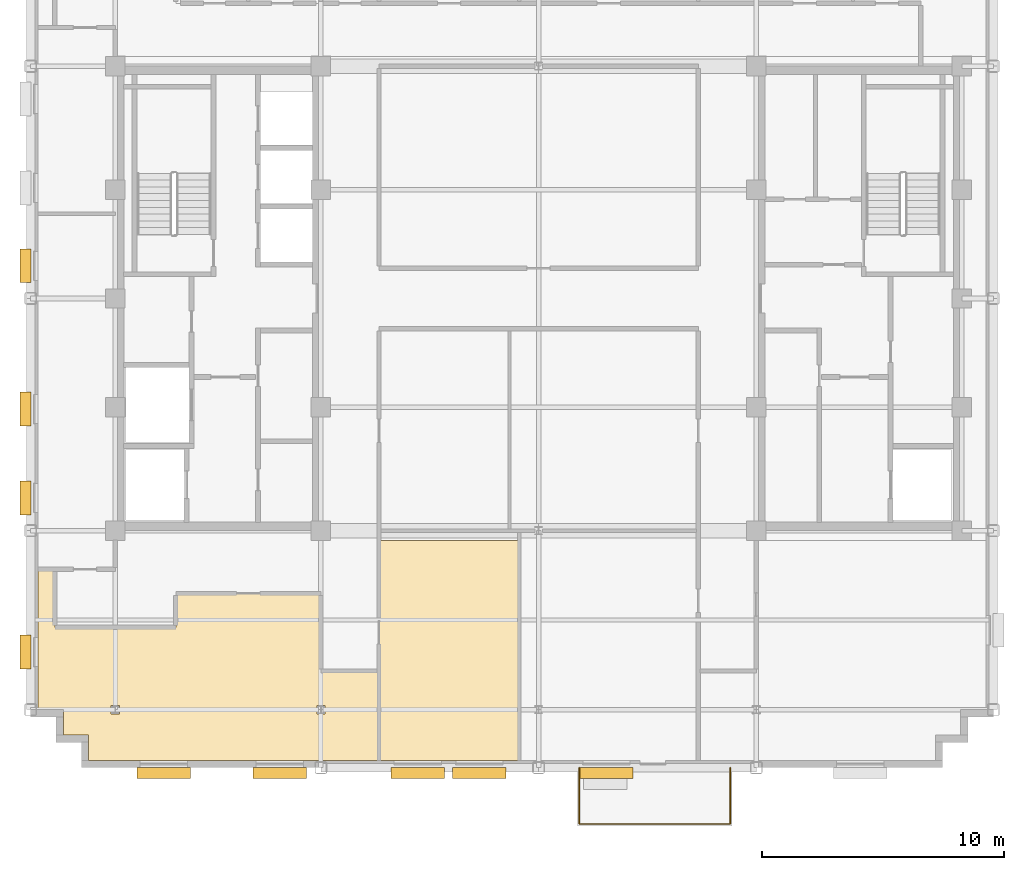
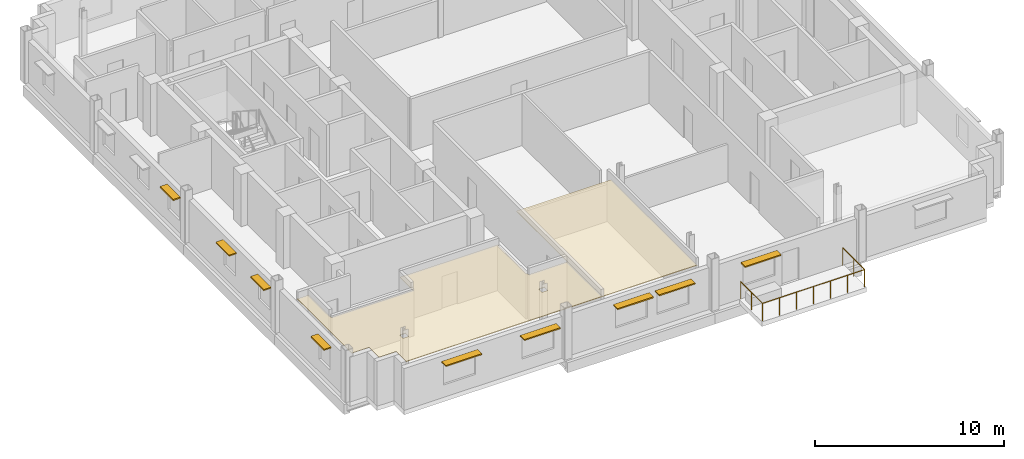
# One storey, part 10 of 13: 9 shading devices, 2 coverings, 1 railing.
"""IFC4 building model written with IfcOpenShell, lengths in metres."""

from ifc_helpers import new_model, si_unit, direction, frame, origin, origin_2d, place, context, subcontext, project, spatial, polyline, rectangle, circle, outline, extrude, source, transform, mapped, material, layer, layer_set, type_object, type_shapes, element, save


model = new_model("IFC4")

# Units and contexts
model_context = context("Model", 3, precision=1e-05, world=origin(), true_north=direction((0.0, 1.0)))
body_context = subcontext(model_context, "Body", "Model", "MODEL_VIEW")
ifc_project = project(units=[si_unit("LENGTHUNIT", "METRE"), si_unit("AREAUNIT", "SQUARE_METRE"), si_unit("VOLUMEUNIT", "CUBIC_METRE"), si_unit("PLANEANGLEUNIT", "RADIAN"), si_unit("MASSUNIT", "GRAM", prefix="KILO")], contexts=[model_context])

# Site, building, storey
site_placement = place(None, origin())
site = spatial("IfcSite", under=ifc_project, at=site_placement, CompositionType="ELEMENT")
building_placement = place(site_placement, origin())
building = spatial("IfcBuilding", under=site, at=building_placement, Name="Nuvemarco Arch Tower", CompositionType="ELEMENT")
storey_placement = place(building_placement, frame((0.0, 0.0, 261.60009765625)))
storey = spatial("IfcBuildingStorey", under=building, at=storey_placement, Name="L69", CompositionType="ELEMENT", Elevation=261.60009765625)

# Coverings
ifc_material_1 = material(Name="Mineral acoustic ceiling tile")
ifc_layer = layer(ifc_material_1, 0.0400390625, Name="COV-ACOUSTIC-CLG")
ifc_layer_set = layer_set([ifc_layer], Name="Mineral acoustic ceiling tile")
covering_type = type_object("IfcCoveringType", Name="COV-ACOUSTIC-CLG", PredefinedType="CEILING", material=ifc_layer_set)
covering_1_placement = place(storey_placement, frame((0.0, 0.0, 2.849853515625)))
element("IfcCovering", 1, at=covering_1_placement, inside=storey, type_object=covering_type, Name="L69 suspended acoustic ceiling 2", PredefinedType="CEILING", context=body_context, shape_type="SweptSolid", body=[
    extrude(outline(polyline([(-20.699951171875, -17.0), (-20.699951171875, -11.199951171875), (-20.0, -11.199951171875), (-20.0, -13.60009765625), (-15.0, -13.60009765625), (-15.0, -12.199951171875), (-9.0, -12.199951171875), (-9.0, -15.39990234375), (-6.60009765625, -15.39990234375), (-6.60009765625, -19.10009765625), (-18.60009765625, -19.10009765625), (-18.60009765625, -18.050048828125), (-19.64990234375, -18.050048828125), (-19.64990234375, -17.0), (-20.699951171875, -17.0)]), holes=[polyline([(-17.330078125, -16.830078125), (-17.669921875, -16.830078125), (-17.669921875, -17.169921875), (-17.330078125, -17.169921875), (-17.330078125, -16.830078125)]), polyline([(-8.830078125, -16.830078125), (-9.169921875, -16.830078125), (-9.169921875, -17.169921875), (-8.830078125, -17.169921875), (-8.830078125, -16.830078125)])]), origin(), (0.0, 0.0, 1.0), 0.0400390625),
])
covering_2_placement = place(storey_placement, frame((0.0, 0.0, 2.849853515625)))
element("IfcCovering", 2, at=covering_2_placement, inside=storey, type_object=covering_type, Name="L69 suspended acoustic ceiling 4", PredefinedType="CEILING", context=body_context, shape_type="SweptSolid", body=[
    extrude(outline(polyline([(-6.60009765625, -10.0), (-0.800048828125, -10.0), (-0.800048828125, -19.10009765625), (-6.60009765625, -19.10009765625), (-6.60009765625, -15.39990234375), (-6.60009765625, -12.199951171875), (-6.60009765625, -10.0)])), origin(), (0.0, 0.0, 1.0), 0.0400390625),
])

# Railing
ifc_material_2 = material(Name="Dark anodised balustrade steel S355", Category="steel")
railing_type = type_object("IfcRailingType", Name="RL-TERR-GUARD", PredefinedType="BALUSTRADE", material=ifc_material_2)
railing_placement = place(storey_placement, frame((1.679931640625, -19.39990234375, 0.0)))
element("IfcRailing", 3, at=railing_placement, inside=storey, type_object=railing_type, Name="L69 spiral terrace perimeter balustrade guard", PredefinedType="BALUSTRADE", context=body_context, shape_type="SweptSolid", body=[
    extrude(circle(Radius=0.02392578125, at=origin_2d()), frame((0.0, 0.0, 1.1259765625), z_axis=(0.0, -1.0, 0.0), x_axis=(1.0, 0.0, 0.0)), (0.0, 0.0, 1.0), 2.320068359375),
    extrude(circle(Radius=0.02392578125, at=origin_2d()), frame((0.0, -2.320068359375, 1.1259765625), z_axis=(1.0, 0.0, 0.0), x_axis=(0.0, 1.0, 0.0)), (0.0, 0.0, 1.0), 6.239990234375),
    extrude(circle(Radius=0.02392578125, at=origin_2d()), frame((6.239990234375, -2.320068359375, 1.1259765625), z_axis=(0.0, 1.0, 0.0), x_axis=(-1.0, 0.0, 0.0)), (0.0, 0.0, 1.0), 2.320068359375),
    extrude(circle(Radius=0.02099609375, at=origin_2d()), origin(), (0.0, 0.0, 1.0), 1.101806640625),
    extrude(circle(Radius=0.02099609375, at=origin_2d()), frame((0.0, -1.16015625, 0.0)), (0.0, 0.0, 1.0), 1.101806640625),
    extrude(circle(Radius=0.02099609375, at=origin_2d()), frame((0.0, -2.320068359375, 0.0)), (0.0, 0.0, 1.0), 1.101806640625),
    extrude(circle(Radius=0.02099609375, at=origin_2d()), frame((1.0400390625, -2.320068359375, 0.0)), (0.0, 0.0, 1.0), 1.101806640625),
    extrude(circle(Radius=0.02099609375, at=origin_2d()), frame((2.080078125, -2.320068359375, 0.0)), (0.0, 0.0, 1.0), 1.101806640625),
    extrude(circle(Radius=0.02099609375, at=origin_2d()), frame((3.1201171875, -2.320068359375, 0.0)), (0.0, 0.0, 1.0), 1.101806640625),
    extrude(circle(Radius=0.02099609375, at=origin_2d()), frame((4.159912109375, -2.320068359375, 0.0)), (0.0, 0.0, 1.0), 1.101806640625),
    extrude(circle(Radius=0.02099609375, at=origin_2d()), frame((5.199951171875, -2.320068359375, 0.0)), (0.0, 0.0, 1.0), 1.101806640625),
    extrude(circle(Radius=0.02099609375, at=origin_2d()), frame((6.239990234375, -2.320068359375, 0.0)), (0.0, 0.0, 1.0), 1.101806640625),
    extrude(circle(Radius=0.02099609375, at=origin_2d()), frame((6.239990234375, -1.16015625, 0.0)), (0.0, 0.0, 1.0), 1.101806640625),
    extrude(circle(Radius=0.02099609375, at=origin_2d()), frame((6.239990234375, 0.0, 0.0)), (0.0, 0.0, 1.0), 1.101806640625),
])

# Shading devices
ifc_material_3 = material(Name="Anodised aluminium 6063-T6", Category="aluminium")
shading_device_type_1 = type_object("IfcShadingDeviceType", Name="SHD-BRISE-SOLEIL", PredefinedType="USERDEFINED", material=ifc_material_3)
shared_shape_1 = source(origin(), body_context, "Body", "SweptSolid", [
    extrude(rectangle(XDim=2.199951171875, YDim=0.449951171875, at=origin_2d()), origin(), (0.0, 0.0, 1.0), 0.080078125),
])
type_shapes(shading_device_type_1, [shared_shape_1])
for number, where, z_axis, x_axis, name in (
    (4, (-15.5, -19.614990234375, 2.284912109375), (0.0, 0.0, 1.0), (1.0, 0.0, 0.0), "L69 horizontal brise-soleil sunshade"),
    (5, (-10.699951171875, -19.614990234375, 2.284912109375), (0.0, 0.0, 1.0), (1.0, 0.0, 0.0), "L69 horizontal brise-soleil sunshade"),
    (6, (-5.0, -19.614990234375, 2.284912109375), (0.0, 0.0, 1.0), (1.0, 0.0, 0.0), "L69 horizontal brise-soleil sunshade"),
    (7, (-2.449951171875, -19.614990234375, 2.284912109375), (0.0, 0.0, 1.0), (1.0, 0.0, 0.0), "L69 horizontal brise-soleil sunshade"),
    (8, (2.800048828125, -19.614990234375, 2.284912109375), (0.0, 0.0, 1.0), (1.0, 0.0, 0.0), "L69 horizontal brise-soleil sunshade"),
):
    element("IfcShadingDevice", number, at=place(storey_placement, frame(where, z_axis=z_axis, x_axis=x_axis)), inside=storey, type_object=shading_device_type_1, Name=name, ObjectType="SUNSHADE", PredefinedType="USERDEFINED", context=body_context, shape_type="MappedRepresentation", body=[
        mapped(shared_shape_1, transform((0.0, 0.0, 0.0), scale=1.0)),
    ])
shading_device_type_2 = type_object("IfcShadingDeviceType", Name="SHD-BRISE-NARROW", PredefinedType="USERDEFINED", material=ifc_material_3)
shared_shape_2 = source(origin(), body_context, "Body", "SweptSolid", [
    extrude(rectangle(XDim=1.39990234375, YDim=0.449951171875, at=origin_2d()), origin(), (0.0, 0.0, 1.0), 0.080078125),
])
type_shapes(shading_device_type_2, [shared_shape_2])
for number, where, z_axis, x_axis, name in (
    (9, (-21.215087890625, -14.61767578125, 2.284912109375), (0.0, 0.0, 1.0), (0.0, 1.0, 0.0), "L69 horizontal brise-soleil sunshade"),
    (10, (-21.215087890625, -8.2451171875, 2.284912109375), (0.0, 0.0, 1.0), (0.0, 1.0, 0.0), "L69 horizontal brise-soleil sunshade"),
    (11, (-21.215087890625, -4.572509765625, 2.284912109375), (0.0, 0.0, 1.0), (0.0, 1.0, 0.0), "L69 horizontal brise-soleil sunshade"),
    (12, (-21.215087890625, 1.35009765625, 2.284912109375), (0.0, 0.0, 1.0), (0.0, 1.0, 0.0), "L69 horizontal brise-soleil sunshade"),
):
    element("IfcShadingDevice", number, at=place(storey_placement, frame(where, z_axis=z_axis, x_axis=x_axis)), inside=storey, type_object=shading_device_type_2, Name=name, ObjectType="SUNSHADE", PredefinedType="USERDEFINED", context=body_context, shape_type="MappedRepresentation", body=[
        mapped(shared_shape_2, transform((0.0, 0.0, 0.0), scale=1.0)),
    ])

save(model, "model.ifc")
